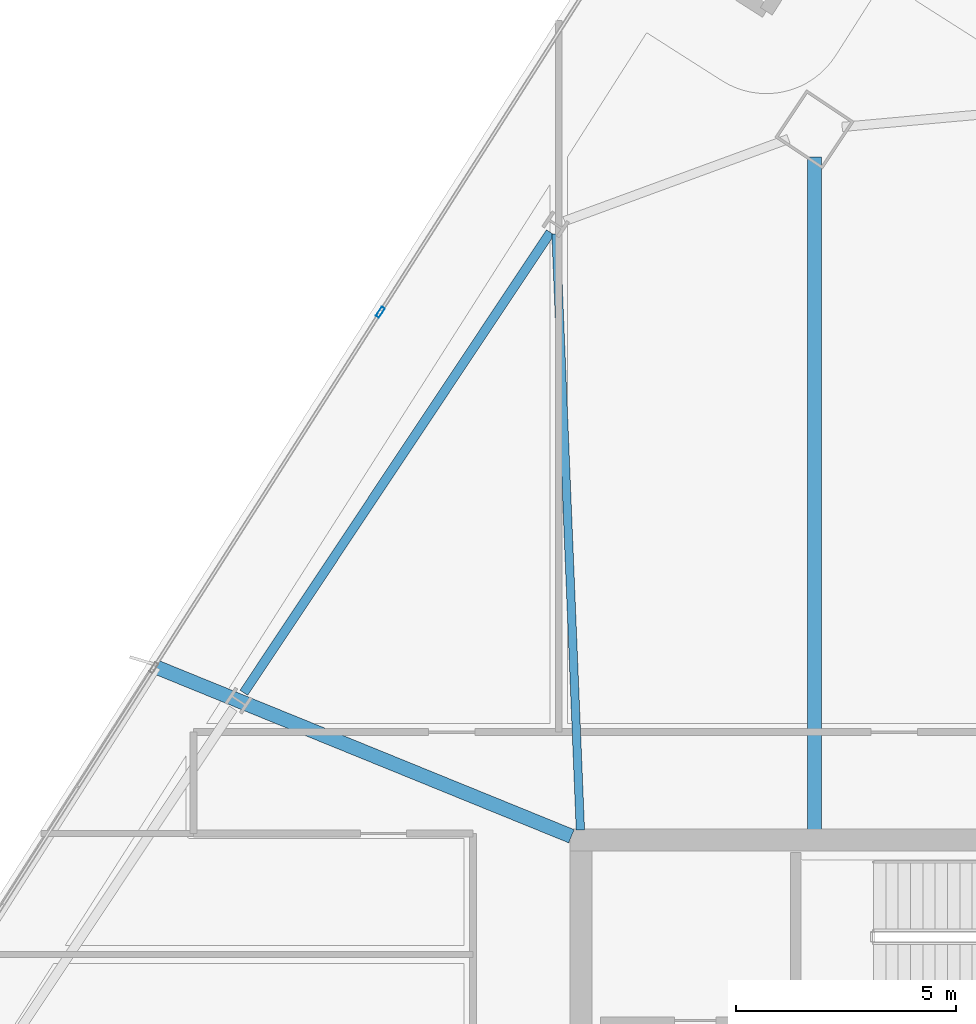
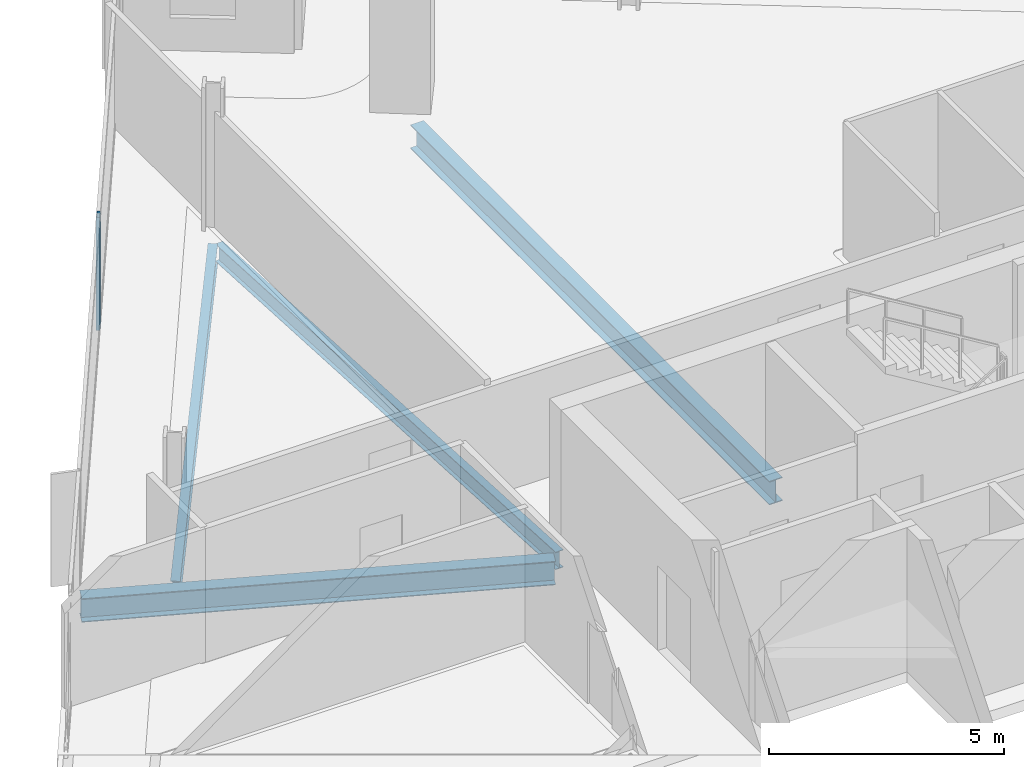
# One storey, part 14 of 30: 4 beams, 1 member, 1 element without a shape of its own.
"""IFC4 building model written with IfcOpenShell, lengths in metres."""

from ifc_helpers import new_model, si_unit, direction, frame, origin, origin_2d, place, context, subcontext, project, spatial, hollow_rectangle, i_section, extrude, material, material_profile, profile_set, type_object, element, aggregate, save


model = new_model("IFC4")

# Units and contexts
model_context = context("Model", 3, precision=1e-05, world=origin(), true_north=direction((0.0, 1.0)))
body_context = subcontext(model_context, "Body", "Model", "MODEL_VIEW")
ifc_project = project(units=[si_unit("LENGTHUNIT", "METRE"), si_unit("AREAUNIT", "SQUARE_METRE"), si_unit("VOLUMEUNIT", "CUBIC_METRE"), si_unit("PLANEANGLEUNIT", "RADIAN"), si_unit("MASSUNIT", "GRAM", prefix="KILO")], contexts=[model_context])

# Site, building, storey
site_placement = place(None, origin())
site = spatial("IfcSite", under=ifc_project, at=site_placement, CompositionType="ELEMENT")
building_placement = place(site_placement, origin())
building = spatial("IfcBuilding", under=site, at=building_placement, Name="Haldenkirk Collegiate Tower", CompositionType="ELEMENT")
storey_placement = place(building_placement, frame((0.0, 0.0, 220.949951171875)))
storey = spatial("IfcBuildingStorey", under=building, at=storey_placement, Name="L55", CompositionType="ELEMENT", Elevation=220.949951171875)

# Beams
ifc_material_1 = material(Name="Steel ASTM A992 Grade 50", Category="steel")
ifc_material_profile_1 = material_profile(ifc_material_1, i_section(OverallWidth=0.324951171875, OverallDepth=0.615966796875, WebThickness=0.013916015625, FlangeThickness=0.021484375, at=origin_2d()), Name="W24X117")
ifc_profile_set_1 = profile_set([ifc_material_profile_1], Name="Steel ASTM A992 Grade 50")
beam_type_1 = type_object("IfcBeamType", Name="BM-GIRDER-W24X117", PredefinedType="BEAM", material=ifc_profile_set_1)
beam_1_placement = place(storey_placement, frame((32.30810546875, 49.5107421875, -0.587890625), z_axis=(0.0, -1.0, 0.0), x_axis=(1.0, 0.0, 0.0)))
element("IfcBeam", 1, at=beam_1_placement, inside=storey, type_object=beam_type_1, Name="L55 primary floor girder 03", PredefinedType="BEAM", context=body_context, shape_type="SweptSolid", body=[
    extrude(i_section(OverallWidth=0.324951171875, OverallDepth=0.615966796875, WebThickness=0.013916015625, FlangeThickness=0.021484375, at=origin_2d()), origin(), (0.0, 0.0, 1.0), 15.28076171875),
])
beam_2_placement = place(storey_placement, frame((17.3583984375, 37.926025390625, -0.587890625), z_axis=(0.92616000052, -0.377130817405, 0.0), x_axis=(0.377130817405, 0.92616000052, 0.0)))
element("IfcBeam", 2, at=beam_2_placement, inside=storey, type_object=beam_type_1, Name="L55 primary floor girder 12", PredefinedType="BEAM", context=body_context, shape_type="SweptSolid", body=[
    extrude(i_section(OverallWidth=0.324951171875, OverallDepth=0.615966796875, WebThickness=0.013916015625, FlangeThickness=0.021484375, at=origin_2d()), origin(), (0.0, 0.0, 1.0), 10.180419921875),
])
ifc_material_profile_2 = material_profile(ifc_material_1, i_section(OverallWidth=0.18994140625, OverallDepth=0.45703125, WebThickness=0.009033203125, FlangeThickness=0.014404296875, at=origin_2d()), Name="W18X50")
ifc_profile_set_2 = profile_set([ifc_material_profile_2], Name="Steel ASTM A992 Grade 50")
beam_type_2 = type_object("IfcBeamType", Name="BM-JOIST-W18X50", PredefinedType="JOIST", material=ifc_profile_set_2)
beam_3_placement = place(storey_placement, frame((26.4365234375, 47.76708984375, -0.508544921875), z_axis=(0.040886268065, -0.999163806932, 0.0), x_axis=(0.999163806932, 0.040886268065, 0.0)))
element("IfcBeam", 3, at=beam_3_placement, inside=storey, type_object=beam_type_2, Name="L55 composite floor joist 11", PredefinedType="JOIST", context=body_context, shape_type="SweptSolid", body=[
    extrude(i_section(OverallWidth=0.18994140625, OverallDepth=0.45703125, WebThickness=0.009033203125, FlangeThickness=0.014404296875, at=origin_2d()), origin(), (0.0, 0.0, 1.0), 13.548583984375),
])
ifc_material_profile_3 = material_profile(ifc_material_1, i_section(OverallWidth=0.2099609375, OverallDepth=0.537109375, WebThickness=0.010986328125, FlangeThickness=0.017333984375, at=origin_2d()), Name="W21X68")
ifc_profile_set_3 = profile_set([ifc_material_profile_3], Name="Steel ASTM A992 Grade 50")
beam_type_3 = type_object("IfcBeamType", Name="BM-SPANDREL-W21X68", PredefinedType="SPANDREL", material=ifc_profile_set_3)
beam_4_placement = place(storey_placement, frame((26.3076171875, 47.80322265625, -0.54833984375), z_axis=(-0.554125989098, -0.832432813028, 0.0), x_axis=(0.832432813028, -0.554125989098, 0.0)))
element("IfcBeam", 4, at=beam_4_placement, inside=storey, type_object=beam_type_3, Name="L55 perimeter spandrel beam 10", PredefinedType="SPANDREL", context=body_context, shape_type="SweptSolid", body=[
    extrude(i_section(OverallWidth=0.2099609375, OverallDepth=0.537109375, WebThickness=0.010986328125, FlangeThickness=0.017333984375, at=origin_2d()), origin(), (0.0, 0.0, 1.0), 12.56201171875),
])

# Curtain wall, member
ifc_material_2 = material(Name="Anodised architectural bronze aluminium", Category="aluminium")
curtain_wall_type = type_object("IfcCurtainWallType", Name="CW-SYS1B-CONVEX-HI", PredefinedType="USERDEFINED", material=ifc_material_2)
curtain_wall_placement = place(storey_placement, origin())
curtain_wall = element("IfcCurtainWall", 5, at=curtain_wall_placement, inside=storey, type_object=curtain_wall_type, Name="L55 Upper tower high-wind convex bronze unitised curtain wall", ObjectType="UNITISED CURTAIN WALL", PredefinedType="USERDEFINED")
ifc_material_profile_4 = material_profile(ifc_material_2, hollow_rectangle(XDim=0.0849609375, YDim=0.25, WallThickness=0.0048828125, at=origin_2d()), Name="CW-MUL-1B")
ifc_profile_set_4 = profile_set([ifc_material_profile_4], Name="Anodised architectural bronze aluminium")
member_type = type_object("IfcMemberType", Name="CW-MUL-1B", PredefinedType="MULLION", material=ifc_profile_set_4)
member_placement = place(storey_placement, frame((22.446533203125, 45.9873046875, 0.0), z_axis=(0.0, 0.0, 1.0), x_axis=(-0.843390453731, 0.5373011656, 0.0)))
member = element("IfcMember", 6, at=member_placement, type_object=member_type, Name="CW-1B mullion 4", PredefinedType="MULLION", context=body_context, shape_type="SweptSolid", body=[
    extrude(hollow_rectangle(XDim=0.0849609375, YDim=0.25, WallThickness=0.0048828125, at=origin_2d()), origin(), (0.0, 0.0, 1.0), 2.927978515625),
])
aggregate(curtain_wall, [member])

save(model, "model.ifc")
